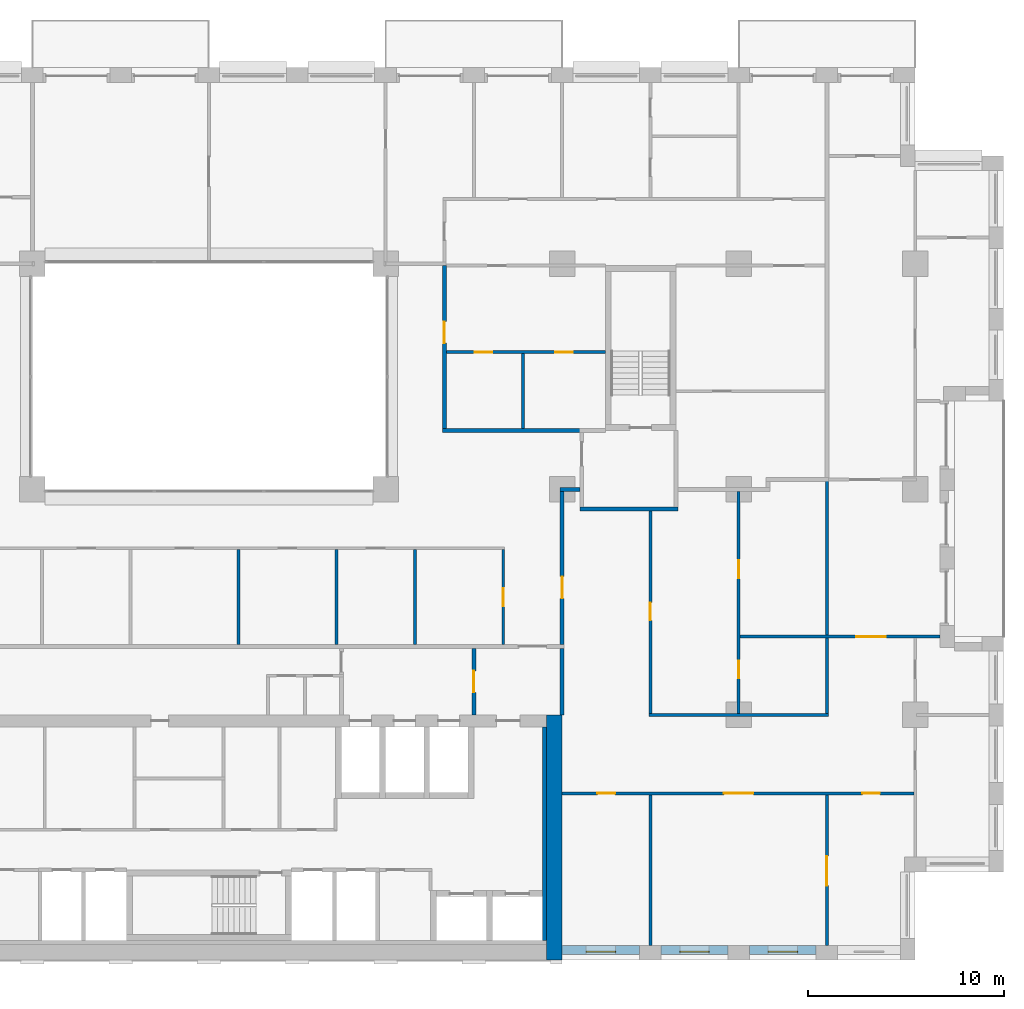
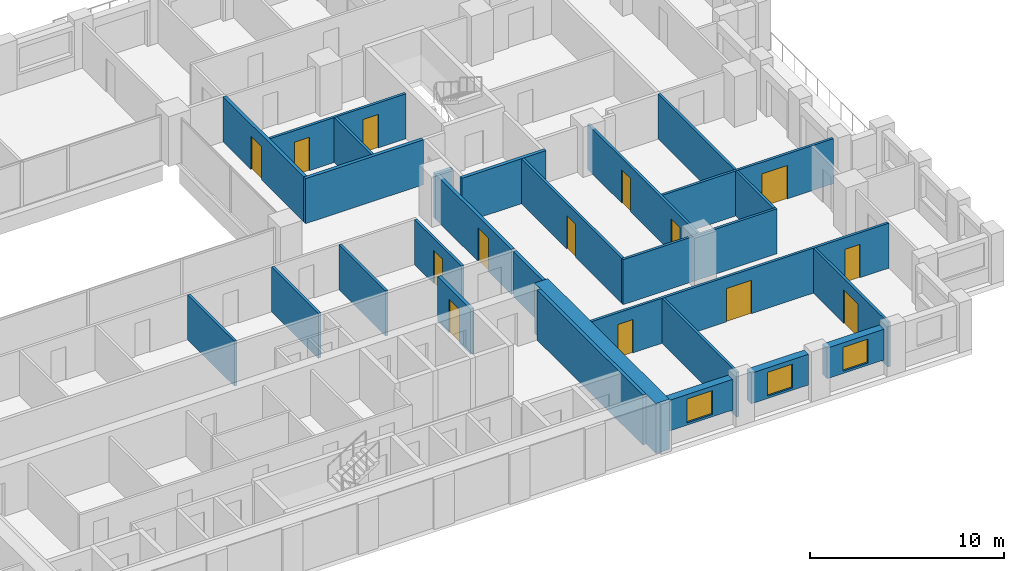
# One storey, part 11 of 16: 27 walls, 14 doors, 3 windows, 17 openings.
"""IFC4 building model written with IfcOpenShell, lengths in metres."""

from ifc_helpers import new_model, si_unit, direction, frame, frame_2d, origin, place, context, subcontext, project, spatial, rectangle, extrude, material, layer, layer_set, type_object, element, fill, save


model = new_model("IFC4")

# Units and contexts
model_context = context("Model", 3, precision=1e-05, world=origin(), true_north=direction((0.0, 1.0)))
body_context = subcontext(model_context, "Body", "Model", "MODEL_VIEW")
ifc_project = project(units=[si_unit("LENGTHUNIT", "METRE"), si_unit("AREAUNIT", "SQUARE_METRE"), si_unit("VOLUMEUNIT", "CUBIC_METRE"), si_unit("PLANEANGLEUNIT", "RADIAN"), si_unit("MASSUNIT", "GRAM", prefix="KILO")], contexts=[model_context])

# Site, building, storey
site_placement = place(None, origin())
site = spatial("IfcSite", under=ifc_project, at=site_placement, CompositionType="ELEMENT")
building_placement = place(site_placement, origin())
building = spatial("IfcBuilding", under=site, at=building_placement, Name="Brigalow Station Residences", CompositionType="ELEMENT")
storey_placement = place(building_placement, frame((0.0, 0.0, 83.550048828125)))
storey = spatial("IfcBuildingStorey", under=building, at=storey_placement, Name="L23", CompositionType="ELEMENT", Elevation=83.550048828125)

# Wall, opening, window
ifc_material_1 = material(Name="Clay brick masonry", Category="masonry")
ifc_layer_1 = layer(ifc_material_1, 0.449951171875)
ifc_layer_set_1 = layer_set([ifc_layer_1], Name="BRICK INFILL WALL 450")
wall_type_1 = type_object("IfcWallType", Name="BRICK INFILL WALL 450", PredefinedType="SOLIDWALL", material=ifc_layer_set_1)
wall_1_placement = place(storey_placement, frame((54.0, 0.52490234375, 0.89990234375), z_axis=(0.0, 0.0, 1.0), x_axis=(1.0, 0.0, 0.0)))
wall_1 = element("IfcWall", 1, at=wall_1_placement, inside=storey, type_object=wall_type_1, Name="L23/ewall/W-L23-4", PredefinedType="SOLIDWALL", context=body_context, shape_type="SweptSolid", body=[
    extrude(rectangle(XDim=3.949951171875, YDim=0.449951171875, at=frame_2d((1.97509765625, 0.0))), origin(), (0.0, 0.0, 1.0), 1.929931640625),
])
opening_1_placement = place(wall_1_placement, frame((1.22509765625, 0.0, 0.14990234375)))
opening_1 = element("IfcOpeningElement", 2, at=opening_1_placement, cuts=wall_1, Name="Opening WT-1", PredefinedType="OPENING", context=body_context, shape_type="SweptSolid", body=[
    extrude(rectangle(XDim=1.5, YDim=1.5, at=frame_2d((0.75, 0.75))), frame((0.0, 0.23486328125, 0.0), z_axis=(0.0, -1.0, 0.0), x_axis=(1.0, 0.0, 0.0)), (0.0, 0.0, 1.0), 0.469970703125),
])
ifc_material_2 = material(Name="Anodised aluminium frame with double glazing", Category="aluminium")
window_type = type_object("IfcWindowType", Name="WINDOW 1500x1500", PartitioningType="SINGLE_PANEL", PredefinedType="WINDOW", material=ifc_material_2)
window_1_placement = place(opening_1_placement, origin())
window_1 = element("IfcWindow", 3, at=window_1_placement, inside=storey, type_object=window_type, Name="L23/window/W-L23-4", OverallHeight=1.5, OverallWidth=1.5, PartitioningType="SINGLE_PANEL", PredefinedType="WINDOW", context=body_context, shape_type="SweptSolid", body=[
    extrude(rectangle(XDim=1.5, YDim=1.5, at=frame_2d((0.75, 0.75))), frame((0.0, -0.06494140625, 0.0), z_axis=(0.0, -1.0, 0.0), x_axis=(1.0, 0.0, 0.0)), (0.0, 0.0, 1.0), 0.06005859375),
])
fill(opening_1, window_1)

wall_2_placement = place(storey_placement, frame((59.050048828125, 0.52490234375, 0.89990234375), z_axis=(0.0, 0.0, 1.0), x_axis=(1.0, 0.0, 0.0)))
wall_2 = element("IfcWall", 4, at=wall_2_placement, inside=storey, type_object=wall_type_1, Name="L23/ewall/W-L23-5", PredefinedType="SOLIDWALL", context=body_context, shape_type="SweptSolid", body=[
    extrude(rectangle(XDim=3.39990234375, YDim=0.449951171875, at=frame_2d((1.699951171875, 0.0))), origin(), (0.0, 0.0, 1.0), 1.929931640625),
])
opening_2_placement = place(wall_2_placement, frame((0.949951171875, 0.0, 0.14990234375)))
opening_2 = element("IfcOpeningElement", 5, at=opening_2_placement, cuts=wall_2, Name="Opening WT-1", PredefinedType="OPENING", context=body_context, shape_type="SweptSolid", body=[
    extrude(rectangle(XDim=1.5, YDim=1.5, at=frame_2d((0.75, 0.75))), frame((0.0, 0.23486328125, 0.0), z_axis=(0.0, -1.0, 0.0), x_axis=(1.0, 0.0, 0.0)), (0.0, 0.0, 1.0), 0.469970703125),
])
window_2_placement = place(opening_2_placement, origin())
window_2 = element("IfcWindow", 6, at=window_2_placement, inside=storey, type_object=window_type, Name="L23/window/W-L23-5", OverallHeight=1.5, OverallWidth=1.5, PartitioningType="SINGLE_PANEL", PredefinedType="WINDOW", context=body_context, shape_type="SweptSolid", body=[
    extrude(rectangle(XDim=1.5, YDim=1.5, at=frame_2d((0.75, 0.75))), frame((0.0, -0.06494140625, 0.0), z_axis=(0.0, -1.0, 0.0), x_axis=(1.0, 0.0, 0.0)), (0.0, 0.0, 1.0), 0.06005859375),
])
fill(opening_2, window_2)

wall_3_placement = place(storey_placement, frame((63.550048828125, 0.52490234375, 0.89990234375), z_axis=(0.0, 0.0, 1.0), x_axis=(1.0, 0.0, 0.0)))
wall_3 = element("IfcWall", 7, at=wall_3_placement, inside=storey, type_object=wall_type_1, Name="L23/ewall/W-L23-6", PredefinedType="SOLIDWALL", context=body_context, shape_type="SweptSolid", body=[
    extrude(rectangle(XDim=3.39990234375, YDim=0.449951171875, at=frame_2d((1.699951171875, 0.0))), origin(), (0.0, 0.0, 1.0), 1.929931640625),
])
opening_3_placement = place(wall_3_placement, frame((0.949951171875, 0.0, 0.14990234375)))
opening_3 = element("IfcOpeningElement", 8, at=opening_3_placement, cuts=wall_3, Name="Opening WT-1", PredefinedType="OPENING", context=body_context, shape_type="SweptSolid", body=[
    extrude(rectangle(XDim=1.5, YDim=1.5, at=frame_2d((0.75, 0.75))), frame((0.0, 0.23486328125, 0.0), z_axis=(0.0, -1.0, 0.0), x_axis=(1.0, 0.0, 0.0)), (0.0, 0.0, 1.0), 0.469970703125),
])
window_3_placement = place(opening_3_placement, origin())
window_3 = element("IfcWindow", 9, at=window_3_placement, inside=storey, type_object=window_type, Name="L23/window/W-L23-6", OverallHeight=1.5, OverallWidth=1.5, PartitioningType="SINGLE_PANEL", PredefinedType="WINDOW", context=body_context, shape_type="SweptSolid", body=[
    extrude(rectangle(XDim=1.5, YDim=1.5, at=frame_2d((0.75, 0.75))), frame((0.0, -0.06494140625, 0.0), z_axis=(0.0, -1.0, 0.0), x_axis=(1.0, 0.0, 0.0)), (0.0, 0.0, 1.0), 0.06005859375),
])
fill(opening_3, window_3)

# Walls
ifc_material_3 = material(Name="Concrete C65", Category="concrete")
ifc_layer_2 = layer(ifc_material_3, 0.199951171875)
ifc_layer_set_2 = layer_set([ifc_layer_2], Name="CORE SHEAR WALL 200 C65")
wall_type_2 = type_object("IfcWallType", Name="CORE SHEAR WALL 200 C65", PredefinedType="SHEAR", material=ifc_layer_set_2)
wall_4_placement = place(storey_placement, frame((53.10009765625, 1.0, 0.0), z_axis=(0.0, 0.0, 1.0), x_axis=(0.0, 1.0, 0.0)))
element("IfcWall", 10, at=wall_4_placement, inside=storey, type_object=wall_type_2, Name="CORE WALL LIN-E L23", PredefinedType="SHEAR", context=body_context, shape_type="SweptSolid", body=[
    extrude(rectangle(XDim=10.89990234375, YDim=0.199951171875, at=frame_2d((5.449951171875, 0.0))), origin(), (0.0, 0.0, 1.0), 3.14990234375),
])
ifc_material_4 = material(Name="Concrete C65", Category="concrete")
ifc_layer_3 = layer(ifc_material_4, 0.800048828125)
ifc_layer_set_3 = layer_set([ifc_layer_3], Name="CORE SHEAR WALL 800 C65")
wall_type_3 = type_object("IfcWallType", Name="CORE SHEAR WALL 800 C65", PredefinedType="SHEAR", material=ifc_layer_set_3)
wall_5_placement = place(storey_placement, frame((53.60009765625, 0.0, 0.0), z_axis=(0.0, 0.0, 1.0), x_axis=(0.0, 1.0, 0.0)))
element("IfcWall", 11, at=wall_5_placement, inside=storey, type_object=wall_type_3, Name="CORE WALL OUT-E L23", PredefinedType="SHEAR", context=body_context, shape_type="SweptSolid", body=[
    extrude(rectangle(XDim=12.5, YDim=0.800048828125, at=frame_2d((6.25, 0.0))), origin(), (0.0, 0.0, 1.0), 3.14990234375),
])
ifc_material_5 = material(Name="Concrete blockwork", Category="masonry")
ifc_layer_4 = layer(ifc_material_5, 0.199951171875)
ifc_layer_set_4 = layer_set([ifc_layer_4], Name="FIRE RATED CORE PARTITION 200")
wall_type_4 = type_object("IfcWallType", Name="FIRE RATED CORE PARTITION 200", PredefinedType="PARTITIONING", material=ifc_layer_set_4)
wall_6_placement = place(storey_placement, frame((54.89990234375, 23.0, 0.0), z_axis=(0.0, 0.0, 1.0), x_axis=(1.0, 0.0, 0.0)))
element("IfcWall", 12, at=wall_6_placement, inside=storey, type_object=wall_type_4, Name="PW-5024", PredefinedType="PARTITIONING", context=body_context, shape_type="SweptSolid", body=[
    extrude(rectangle(XDim=5.0, YDim=0.199951171875, at=frame_2d((2.5, 0.0))), origin(), (0.0, 0.0, 1.0), 2.829833984375),
])

# Wall, opening, door
wall_7_placement = place(storey_placement, frame((49.5, 12.5, 0.0), z_axis=(0.0, 0.0, 1.0), x_axis=(0.0, 1.0, 0.0)))
wall_7 = element("IfcWall", 13, at=wall_7_placement, inside=storey, type_object=wall_type_4, Name="PW-5015", PredefinedType="PARTITIONING", context=body_context, shape_type="SweptSolid", body=[
    extrude(rectangle(XDim=3.39990234375, YDim=0.199951171875, at=frame_2d((1.699951171875, 0.0))), origin(), (0.0, 0.0, 1.0), 2.829833984375),
])
opening_4_placement = place(wall_7_placement, frame((1.14990234375, 0.0, 0.0)))
opening_4 = element("IfcOpeningElement", 14, at=opening_4_placement, cuts=wall_7, Name="Opening D-5014", PredefinedType="OPENING", context=body_context, shape_type="SweptSolid", body=[
    extrude(rectangle(XDim=1.10009765625, YDim=2.10009765625, at=frame_2d((0.550048828125, 1.050048828125))), frame((0.0, 0.10986328125, 0.0), z_axis=(0.0, -1.0, 0.0), x_axis=(1.0, 0.0, 0.0)), (0.0, 0.0, 1.0), 0.219970703125),
])
ifc_material_6 = material(Name="Steel fire door leaf in steel frame", Category="steel")
door_type_1 = type_object("IfcDoorType", Name="LOBBY DOOR 1100 x 2100 FD60S", OperationType="SINGLE_SWING_LEFT", PredefinedType="DOOR", material=ifc_material_6)
door_1_placement = place(opening_4_placement, origin())
door_1 = element("IfcDoor", 15, at=door_1_placement, inside=storey, type_object=door_type_1, Name="D-5014", OperationType="SINGLE_SWING_LEFT", OverallHeight=2.10009765625, OverallWidth=1.10009765625, PredefinedType="DOOR", context=body_context, shape_type="SweptSolid", body=[
    extrude(rectangle(XDim=1.10009765625, YDim=2.10009765625, at=frame_2d((0.550048828125, 1.050048828125))), frame((0.0, 0.02490234375, 0.0), z_axis=(0.0, -1.0, 0.0), x_axis=(1.0, 0.0, 0.0)), (0.0, 0.0, 1.0), 0.050048828125),
])
fill(opening_4, door_1)

# Wall
wall_8_placement = place(storey_placement, frame((54.0, 12.5, 0.0), z_axis=(0.0, 0.0, 1.0), x_axis=(0.0, 1.0, 0.0)))
element("IfcWall", 16, at=wall_8_placement, inside=storey, type_object=wall_type_4, Name="PW-5016", PredefinedType="PARTITIONING", context=body_context, shape_type="SweptSolid", body=[
    extrude(rectangle(XDim=3.39990234375, YDim=0.199951171875, at=frame_2d((1.699951171875, 0.0))), origin(), (0.0, 0.0, 1.0), 2.829833984375),
])

# Wall, openings, doors
ifc_material_7 = material(Name="Plasterboard on steel stud partition", Category="steel")
ifc_layer_5 = layer(ifc_material_7, 0.14990234375)
ifc_layer_set_5 = layer_set([ifc_layer_5], Name="FLAT PARTITION 150")
wall_type_5 = type_object("IfcWallType", Name="FLAT PARTITION 150", PredefinedType="PARTITIONING", material=ifc_layer_set_5)
wall_9_placement = place(storey_placement, frame((54.0, 8.5, 0.0), z_axis=(0.0, 0.0, 1.0), x_axis=(1.0, 0.0, 0.0)))
wall_9 = element("IfcWall", 17, at=wall_9_placement, inside=storey, type_object=wall_type_5, Name="PW-2A12", PredefinedType="PARTITIONING", context=body_context, shape_type="SweptSolid", body=[
    extrude(rectangle(XDim=17.925048828125, YDim=0.14990234375, at=frame_2d((8.96240234375, 0.0))), origin(), (0.0, 0.0, 1.0), 2.829833984375),
])
opening_5_placement = place(wall_9_placement, frame((1.800048828125, 0.0, 0.0)))
opening_5 = element("IfcOpeningElement", 18, at=opening_5_placement, cuts=wall_9, Name="Opening D-2A35", PredefinedType="OPENING", context=body_context, shape_type="SweptSolid", body=[
    extrude(rectangle(XDim=0.89990234375, YDim=2.10009765625, at=frame_2d((0.449951171875, 1.050048828125))), frame((0.0, 0.0849609375, 0.0), z_axis=(0.0, -1.0, 0.0), x_axis=(1.0, 0.0, 0.0)), (0.0, 0.0, 1.0), 0.169921875),
])
opening_6_placement = place(wall_9_placement, frame((8.25, 0.0, 0.0)))
opening_6 = element("IfcOpeningElement", 19, at=opening_6_placement, cuts=wall_9, Name="Opening D-2A36", PredefinedType="OPENING", context=body_context, shape_type="SweptSolid", body=[
    extrude(rectangle(XDim=1.5, YDim=2.10009765625, at=frame_2d((0.75, 1.050048828125))), frame((0.0, 0.0849609375, 0.0), z_axis=(0.0, -1.0, 0.0), x_axis=(1.0, 0.0, 0.0)), (0.0, 0.0, 1.0), 0.169921875),
])
opening_7_placement = place(wall_9_placement, frame((15.300048828125, 0.0, 0.0)))
opening_7 = element("IfcOpeningElement", 20, at=opening_7_placement, cuts=wall_9, Name="Opening D-2A37", PredefinedType="OPENING", context=body_context, shape_type="SweptSolid", body=[
    extrude(rectangle(XDim=0.89990234375, YDim=2.10009765625, at=frame_2d((0.449951171875, 1.050048828125))), frame((0.0, 0.0849609375, 0.0), z_axis=(0.0, -1.0, 0.0), x_axis=(1.0, 0.0, 0.0)), (0.0, 0.0, 1.0), 0.169921875),
])
ifc_material_8 = material(Name="Solid-core timber door leaf", Category="wood")
door_type_2 = type_object("IfcDoorType", Name="INTERNAL DOOR 900 x 2100", OperationType="SINGLE_SWING_LEFT", PredefinedType="DOOR", material=ifc_material_8)
door_2_placement = place(opening_5_placement, frame((0.89990234375, 0.0, 0.0), z_axis=(0.0, 0.0, 1.0), x_axis=(-1.0, 0.0, 0.0)))
door_2 = element("IfcDoor", 21, at=door_2_placement, inside=storey, type_object=door_type_2, Name="D-2A35", OperationType="SINGLE_SWING_LEFT", OverallHeight=2.10009765625, OverallWidth=0.89990234375, PredefinedType="DOOR", context=body_context, shape_type="SweptSolid", body=[
    extrude(rectangle(XDim=0.89990234375, YDim=2.10009765625, at=frame_2d((0.449951171875, 1.050048828125))), frame((0.0, 0.02490234375, 0.0), z_axis=(0.0, -1.0, 0.0), x_axis=(1.0, 0.0, 0.0)), (0.0, 0.0, 1.0), 0.050048828125),
])
fill(opening_5, door_2)
door_3_placement = place(opening_7_placement, frame((0.89990234375, 0.0, 0.0), z_axis=(0.0, 0.0, 1.0), x_axis=(-1.0, 0.0, 0.0)))
door_3 = element("IfcDoor", 22, at=door_3_placement, inside=storey, type_object=door_type_2, Name="D-2A37", OperationType="SINGLE_SWING_RIGHT", OverallHeight=2.10009765625, OverallWidth=0.89990234375, PredefinedType="DOOR", context=body_context, shape_type="SweptSolid", body=[
    extrude(rectangle(XDim=0.89990234375, YDim=2.10009765625, at=frame_2d((0.449951171875, 1.050048828125))), frame((0.0, 0.02490234375, 0.0), z_axis=(0.0, -1.0, 0.0), x_axis=(1.0, 0.0, 0.0)), (0.0, 0.0, 1.0), 0.050048828125),
])
fill(opening_7, door_3)
ifc_material_9 = material(Name="Solid-core timber door leaf", Category="wood")
door_type_3 = type_object("IfcDoorType", Name="INTERNAL DOUBLE DOOR 1500 x 2100", OperationType="DOUBLE_DOOR_SINGLE_SWING", PredefinedType="DOOR", material=ifc_material_9)
door_4_placement = place(opening_6_placement, frame((1.5, 0.0, 0.0), z_axis=(0.0, 0.0, 1.0), x_axis=(-1.0, 0.0, 0.0)))
door_4 = element("IfcDoor", 23, at=door_4_placement, inside=storey, type_object=door_type_3, Name="D-2A36", OperationType="DOUBLE_DOOR_SINGLE_SWING", OverallHeight=2.10009765625, OverallWidth=1.5, PredefinedType="DOOR", context=body_context, shape_type="SweptSolid", body=[
    extrude(rectangle(XDim=1.5, YDim=2.10009765625, at=frame_2d((0.75, 1.050048828125))), frame((0.0, 0.02490234375, 0.0), z_axis=(0.0, -1.0, 0.0), x_axis=(1.0, 0.0, 0.0)), (0.0, 0.0, 1.0), 0.050048828125),
])
fill(opening_6, door_4)

# Wall, opening, door
wall_10_placement = place(storey_placement, frame((63.074951171875, 16.5, 0.0), z_axis=(0.0, 0.0, 1.0), x_axis=(1.0, 0.0, 0.0)))
wall_10 = element("IfcWall", 24, at=wall_10_placement, inside=storey, type_object=wall_type_5, Name="PW-2A15", PredefinedType="PARTITIONING", context=body_context, shape_type="SweptSolid", body=[
    extrude(rectangle(XDim=10.175048828125, YDim=0.14990234375, at=frame_2d((5.08740234375, 0.0))), origin(), (0.0, 0.0, 1.0), 2.829833984375),
])
opening_8_placement = place(wall_10_placement, frame((5.925048828125, 0.0, 0.0)))
opening_8 = element("IfcOpeningElement", 25, at=opening_8_placement, cuts=wall_10, Name="Opening D-2A44", PredefinedType="OPENING", context=body_context, shape_type="SweptSolid", body=[
    extrude(rectangle(XDim=1.5, YDim=2.10009765625, at=frame_2d((0.75, 1.050048828125))), frame((0.0, 0.0849609375, 0.0), z_axis=(0.0, -1.0, 0.0), x_axis=(1.0, 0.0, 0.0)), (0.0, 0.0, 1.0), 0.169921875),
])
door_5_placement = place(opening_8_placement, origin())
door_5 = element("IfcDoor", 26, at=door_5_placement, inside=storey, type_object=door_type_3, Name="D-2A44", OperationType="DOUBLE_DOOR_SINGLE_SWING", OverallHeight=2.10009765625, OverallWidth=1.5, PredefinedType="DOOR", context=body_context, shape_type="SweptSolid", body=[
    extrude(rectangle(XDim=1.5, YDim=2.10009765625, at=frame_2d((0.75, 1.050048828125))), frame((0.0, 0.02490234375, 0.0), z_axis=(0.0, -1.0, 0.0), x_axis=(1.0, 0.0, 0.0)), (0.0, 0.0, 1.0), 0.050048828125),
])
fill(opening_8, door_5)

# Wall
wall_11_placement = place(storey_placement, frame((58.425048828125, 12.5, 0.0), z_axis=(0.0, 0.0, 1.0), x_axis=(1.0, 0.0, 0.0)))
element("IfcWall", 27, at=wall_11_placement, inside=storey, type_object=wall_type_5, Name="PW-2A17", PredefinedType="PARTITIONING", context=body_context, shape_type="SweptSolid", body=[
    extrude(rectangle(XDim=9.14990234375, YDim=0.14990234375, at=frame_2d((4.574951171875, 0.0))), origin(), (0.0, 0.0, 1.0), 2.829833984375),
])

# Wall, openings, doors
wall_12_placement = place(storey_placement, frame((48.10009765625, 31.0, 0.0), z_axis=(0.0, 0.0, 1.0), x_axis=(1.0, 0.0, 0.0)))
wall_12 = element("IfcWall", 28, at=wall_12_placement, inside=storey, type_object=wall_type_5, Name="PW-2A35", PredefinedType="PARTITIONING", context=body_context, shape_type="SweptSolid", body=[
    extrude(rectangle(XDim=8.099853515625, YDim=0.14990234375, at=frame_2d((4.0498046875, 0.0))), origin(), (0.0, 0.0, 1.0), 2.829833984375),
])
opening_9_placement = place(wall_12_placement, frame((1.449951171875, 0.0, 0.0)))
opening_9 = element("IfcOpeningElement", 29, at=opening_9_placement, cuts=wall_12, Name="Opening D-2A21", PredefinedType="OPENING", context=body_context, shape_type="SweptSolid", body=[
    extrude(rectangle(XDim=0.89990234375, YDim=2.10009765625, at=frame_2d((0.449951171875, 1.050048828125))), frame((0.0, 0.0849609375, 0.0), z_axis=(0.0, -1.0, 0.0), x_axis=(1.0, 0.0, 0.0)), (0.0, 0.0, 1.0), 0.169921875),
])
opening_10_placement = place(wall_12_placement, frame((5.550048828125, 0.0, 0.0)))
opening_10 = element("IfcOpeningElement", 30, at=opening_10_placement, cuts=wall_12, Name="Opening D-2A22", PredefinedType="OPENING", context=body_context, shape_type="SweptSolid", body=[
    extrude(rectangle(XDim=0.89990234375, YDim=2.10009765625, at=frame_2d((0.449951171875, 1.050048828125))), frame((0.0, 0.0849609375, 0.0), z_axis=(0.0, -1.0, 0.0), x_axis=(1.0, 0.0, 0.0)), (0.0, 0.0, 1.0), 0.169921875),
])
door_6_placement = place(opening_9_placement, frame((0.89990234375, 0.0, 0.0), z_axis=(0.0, 0.0, 1.0), x_axis=(-1.0, 0.0, 0.0)))
door_6 = element("IfcDoor", 31, at=door_6_placement, inside=storey, type_object=door_type_2, Name="D-2A21", OperationType="SINGLE_SWING_RIGHT", OverallHeight=2.10009765625, OverallWidth=0.89990234375, PredefinedType="DOOR", context=body_context, shape_type="SweptSolid", body=[
    extrude(rectangle(XDim=0.89990234375, YDim=2.10009765625, at=frame_2d((0.449951171875, 1.050048828125))), frame((0.0, 0.02490234375, 0.0), z_axis=(0.0, -1.0, 0.0), x_axis=(1.0, 0.0, 0.0)), (0.0, 0.0, 1.0), 0.050048828125),
])
fill(opening_9, door_6)
door_7_placement = place(opening_10_placement, frame((0.89990234375, 0.0, 0.0), z_axis=(0.0, 0.0, 1.0), x_axis=(-1.0, 0.0, 0.0)))
door_7 = element("IfcDoor", 32, at=door_7_placement, inside=storey, type_object=door_type_2, Name="D-2A22", OperationType="SINGLE_SWING_RIGHT", OverallHeight=2.10009765625, OverallWidth=0.89990234375, PredefinedType="DOOR", context=body_context, shape_type="SweptSolid", body=[
    extrude(rectangle(XDim=0.89990234375, YDim=2.10009765625, at=frame_2d((0.449951171875, 1.050048828125))), frame((0.0, 0.02490234375, 0.0), z_axis=(0.0, -1.0, 0.0), x_axis=(1.0, 0.0, 0.0)), (0.0, 0.0, 1.0), 0.050048828125),
])
fill(opening_10, door_7)

# Wall, opening, door
wall_13_placement = place(storey_placement, frame((51.0, 16.10009765625, 0.0), z_axis=(0.0, 0.0, 1.0), x_axis=(0.0, 1.0, 0.0)))
wall_13 = element("IfcWall", 33, at=wall_13_placement, inside=storey, type_object=wall_type_5, Name="PW-2A44", PredefinedType="PARTITIONING", context=body_context, shape_type="SweptSolid", body=[
    extrude(rectangle(XDim=4.824951171875, YDim=0.14990234375, at=frame_2d((2.41259765625, 0.0))), origin(), (0.0, 0.0, 1.0), 2.829833984375),
])
opening_11_placement = place(wall_13_placement, frame((1.949951171875, 0.0, 0.0)))
opening_11 = element("IfcOpeningElement", 34, at=opening_11_placement, cuts=wall_13, Name="Opening D-2A54", PredefinedType="OPENING", context=body_context, shape_type="SweptSolid", body=[
    extrude(rectangle(XDim=0.89990234375, YDim=2.10009765625, at=frame_2d((0.449951171875, 1.050048828125))), frame((0.0, 0.0849609375, 0.0), z_axis=(0.0, -1.0, 0.0), x_axis=(1.0, 0.0, 0.0)), (0.0, 0.0, 1.0), 0.169921875),
])
door_8_placement = place(opening_11_placement, origin())
door_8 = element("IfcDoor", 35, at=door_8_placement, inside=storey, type_object=door_type_2, Name="D-2A54", OperationType="SINGLE_SWING_LEFT", OverallHeight=2.10009765625, OverallWidth=0.89990234375, PredefinedType="DOOR", context=body_context, shape_type="SweptSolid", body=[
    extrude(rectangle(XDim=0.89990234375, YDim=2.10009765625, at=frame_2d((0.449951171875, 1.050048828125))), frame((0.0, 0.02490234375, 0.0), z_axis=(0.0, -1.0, 0.0), x_axis=(1.0, 0.0, 0.0)), (0.0, 0.0, 1.0), 0.050048828125),
])
fill(opening_11, door_8)

# Wall
wall_14_placement = place(storey_placement, frame((52.0, 27.10009765625, 0.0), z_axis=(0.0, 0.0, 1.0), x_axis=(0.0, 1.0, 0.0)))
element("IfcWall", 36, at=wall_14_placement, inside=storey, type_object=wall_type_5, Name="PW-2A59", PredefinedType="PARTITIONING", context=body_context, shape_type="SweptSolid", body=[
    extrude(rectangle(XDim=3.824951171875, YDim=0.14990234375, at=frame_2d((1.91259765625, 0.0))), origin(), (0.0, 0.0, 1.0), 2.829833984375),
])

# Wall, opening, door
wall_15_placement = place(storey_placement, frame((67.5, 0.75, 0.0), z_axis=(0.0, 0.0, 1.0), x_axis=(0.0, 1.0, 0.0)))
wall_15 = element("IfcWall", 37, at=wall_15_placement, inside=storey, type_object=wall_type_5, Name="PW-2A60", PredefinedType="PARTITIONING", context=body_context, shape_type="SweptSolid", body=[
    extrude(rectangle(XDim=7.675048828125, YDim=0.14990234375, at=frame_2d((3.83740234375, 0.0))), origin(), (0.0, 0.0, 1.0), 2.829833984375),
])
opening_12_placement = place(wall_15_placement, frame((3.050048828125, 0.0, 0.0)))
opening_12 = element("IfcOpeningElement", 38, at=opening_12_placement, cuts=wall_15, Name="Opening D-2A38", PredefinedType="OPENING", context=body_context, shape_type="SweptSolid", body=[
    extrude(rectangle(XDim=1.5, YDim=2.10009765625, at=frame_2d((0.75, 1.050048828125))), frame((0.0, 0.0849609375, 0.0), z_axis=(0.0, -1.0, 0.0), x_axis=(1.0, 0.0, 0.0)), (0.0, 0.0, 1.0), 0.169921875),
])
door_9_placement = place(opening_12_placement, frame((1.5, 0.0, 0.0), z_axis=(0.0, 0.0, 1.0), x_axis=(-1.0, 0.0, 0.0)))
door_9 = element("IfcDoor", 39, at=door_9_placement, inside=storey, type_object=door_type_3, Name="D-2A38", OperationType="DOUBLE_DOOR_SINGLE_SWING", OverallHeight=2.10009765625, OverallWidth=1.5, PredefinedType="DOOR", context=body_context, shape_type="SweptSolid", body=[
    extrude(rectangle(XDim=1.5, YDim=2.10009765625, at=frame_2d((0.75, 1.050048828125))), frame((0.0, 0.02490234375, 0.0), z_axis=(0.0, -1.0, 0.0), x_axis=(1.0, 0.0, 0.0)), (0.0, 0.0, 1.0), 0.050048828125),
])
fill(opening_12, door_9)

# Walls
wall_16_placement = place(storey_placement, frame((67.5, 12.574951171875, 0.0), z_axis=(0.0, 0.0, 1.0), x_axis=(0.0, 1.0, 0.0)))
element("IfcWall", 40, at=wall_16_placement, inside=storey, type_object=wall_type_5, Name="PW-2A61", PredefinedType="PARTITIONING", context=body_context, shape_type="SweptSolid", body=[
    extrude(rectangle(XDim=3.85009765625, YDim=0.14990234375, at=frame_2d((1.925048828125, 0.0))), origin(), (0.0, 0.0, 1.0), 2.829833984375),
])
wall_17_placement = place(storey_placement, frame((67.5, 16.574951171875, 0.0), z_axis=(0.0, 0.0, 1.0), x_axis=(0.0, 1.0, 0.0)))
element("IfcWall", 41, at=wall_17_placement, inside=storey, type_object=wall_type_5, Name="PW-2A62", PredefinedType="PARTITIONING", context=body_context, shape_type="SweptSolid", body=[
    extrude(rectangle(XDim=7.85009765625, YDim=0.14990234375, at=frame_2d((3.925048828125, 0.0))), origin(), (0.0, 0.0, 1.0), 2.829833984375),
])
wall_18_placement = place(storey_placement, frame((58.5, 0.75, 0.0), z_axis=(0.0, 0.0, 1.0), x_axis=(0.0, 1.0, 0.0)))
element("IfcWall", 42, at=wall_18_placement, inside=storey, type_object=wall_type_5, Name="PW-2A64", PredefinedType="PARTITIONING", context=body_context, shape_type="SweptSolid", body=[
    extrude(rectangle(XDim=7.675048828125, YDim=0.14990234375, at=frame_2d((3.83740234375, 0.0))), origin(), (0.0, 0.0, 1.0), 2.829833984375),
])

# Wall, opening, door
wall_19_placement = place(storey_placement, frame((58.5, 12.574951171875, 0.0), z_axis=(0.0, 0.0, 1.0), x_axis=(0.0, 1.0, 0.0)))
wall_19 = element("IfcWall", 43, at=wall_19_placement, inside=storey, type_object=wall_type_5, Name="PW-2A65", PredefinedType="PARTITIONING", context=body_context, shape_type="SweptSolid", body=[
    extrude(rectangle(XDim=10.324951171875, YDim=0.14990234375, at=frame_2d((5.16259765625, 0.0))), origin(), (0.0, 0.0, 1.0), 2.829833984375),
])
opening_13_placement = place(wall_19_placement, frame((4.75, 0.0, 0.0)))
opening_13 = element("IfcOpeningElement", 44, at=opening_13_placement, cuts=wall_19, Name="Opening D-2A40", PredefinedType="OPENING", context=body_context, shape_type="SweptSolid", body=[
    extrude(rectangle(XDim=0.89990234375, YDim=2.10009765625, at=frame_2d((0.449951171875, 1.050048828125))), frame((0.0, 0.0849609375, 0.0), z_axis=(0.0, -1.0, 0.0), x_axis=(1.0, 0.0, 0.0)), (0.0, 0.0, 1.0), 0.169921875),
])
door_10_placement = place(opening_13_placement, frame((0.89990234375, 0.0, 0.0), z_axis=(0.0, 0.0, 1.0), x_axis=(-1.0, 0.0, 0.0)))
door_10 = element("IfcDoor", 45, at=door_10_placement, inside=storey, type_object=door_type_2, Name="D-2A40", OperationType="SINGLE_SWING_LEFT", OverallHeight=2.10009765625, OverallWidth=0.89990234375, PredefinedType="DOOR", context=body_context, shape_type="SweptSolid", body=[
    extrude(rectangle(XDim=0.89990234375, YDim=2.10009765625, at=frame_2d((0.449951171875, 1.050048828125))), frame((0.0, 0.02490234375, 0.0), z_axis=(0.0, -1.0, 0.0), x_axis=(1.0, 0.0, 0.0)), (0.0, 0.0, 1.0), 0.050048828125),
])
fill(opening_13, door_10)

# Wall, openings, doors
wall_20_placement = place(storey_placement, frame((63.0, 12.574951171875, 0.0), z_axis=(0.0, 0.0, 1.0), x_axis=(0.0, 1.0, 0.0)))
wall_20 = element("IfcWall", 46, at=wall_20_placement, inside=storey, type_object=wall_type_5, Name="PW-2A67", PredefinedType="PARTITIONING", context=body_context, shape_type="SweptSolid", body=[
    extrude(rectangle(XDim=11.324951171875, YDim=0.14990234375, at=frame_2d((5.66259765625, 0.0))), origin(), (0.0, 0.0, 1.0), 2.829833984375),
])
opening_14_placement = place(wall_20_placement, frame((1.800048828125, 0.0, 0.0)))
opening_14 = element("IfcOpeningElement", 47, at=opening_14_placement, cuts=wall_20, Name="Opening D-2A41", PredefinedType="OPENING", context=body_context, shape_type="SweptSolid", body=[
    extrude(rectangle(XDim=0.89990234375, YDim=2.10009765625, at=frame_2d((0.449951171875, 1.050048828125))), frame((0.0, 0.0849609375, 0.0), z_axis=(0.0, -1.0, 0.0), x_axis=(1.0, 0.0, 0.0)), (0.0, 0.0, 1.0), 0.169921875),
])
opening_15_placement = place(wall_20_placement, frame((6.89990234375, 0.0, 0.0)))
opening_15 = element("IfcOpeningElement", 48, at=opening_15_placement, cuts=wall_20, Name="Opening D-2A42", PredefinedType="OPENING", context=body_context, shape_type="SweptSolid", body=[
    extrude(rectangle(XDim=0.89990234375, YDim=2.10009765625, at=frame_2d((0.449951171875, 1.050048828125))), frame((0.0, 0.0849609375, 0.0), z_axis=(0.0, -1.0, 0.0), x_axis=(1.0, 0.0, 0.0)), (0.0, 0.0, 1.0), 0.169921875),
])
door_11_placement = place(opening_14_placement, frame((0.89990234375, 0.0, 0.0), z_axis=(0.0, 0.0, 1.0), x_axis=(-1.0, 0.0, 0.0)))
door_11 = element("IfcDoor", 49, at=door_11_placement, inside=storey, type_object=door_type_2, Name="D-2A41", OperationType="SINGLE_SWING_LEFT", OverallHeight=2.10009765625, OverallWidth=0.89990234375, PredefinedType="DOOR", context=body_context, shape_type="SweptSolid", body=[
    extrude(rectangle(XDim=0.89990234375, YDim=2.10009765625, at=frame_2d((0.449951171875, 1.050048828125))), frame((0.0, 0.02490234375, 0.0), z_axis=(0.0, -1.0, 0.0), x_axis=(1.0, 0.0, 0.0)), (0.0, 0.0, 1.0), 0.050048828125),
])
fill(opening_14, door_11)
door_12_placement = place(opening_15_placement, frame((0.89990234375, 0.0, 0.0), z_axis=(0.0, 0.0, 1.0), x_axis=(-1.0, 0.0, 0.0)))
door_12 = element("IfcDoor", 50, at=door_12_placement, inside=storey, type_object=door_type_2, Name="D-2A42", OperationType="SINGLE_SWING_RIGHT", OverallHeight=2.10009765625, OverallWidth=0.89990234375, PredefinedType="DOOR", context=body_context, shape_type="SweptSolid", body=[
    extrude(rectangle(XDim=0.89990234375, YDim=2.10009765625, at=frame_2d((0.449951171875, 1.050048828125))), frame((0.0, 0.02490234375, 0.0), z_axis=(0.0, -1.0, 0.0), x_axis=(1.0, 0.0, 0.0)), (0.0, 0.0, 1.0), 0.050048828125),
])
fill(opening_15, door_12)

# Walls
for number, where, z_axis, x_axis, name in (
    (51, (37.5, 16.10009765625, 0.0), (0.0, 0.0, 1.0), (0.0, 1.0, 0.0), "PW-2A74"),
    (52, (42.5, 16.10009765625, 0.0), (0.0, 0.0, 1.0), (0.0, 1.0, 0.0), "PW-2A75"),
    (53, (46.5, 16.10009765625, 0.0), (0.0, 0.0, 1.0), (0.0, 1.0, 0.0), "PW-2A76"),
):
    element("IfcWall", number, at=place(storey_placement, frame(where, z_axis=z_axis, x_axis=x_axis)), inside=storey, type_object=wall_type_5, Name=name, PredefinedType="PARTITIONING", context=body_context, shape_type="SweptSolid", body=[
        extrude(rectangle(XDim=4.824951171875, YDim=0.14990234375, at=frame_2d((2.41259765625, 0.0))), origin(), (0.0, 0.0, 1.0), 2.829833984375),
    ])
ifc_material_10 = material(Name="Plasterboard on steel stud partition", Category="steel")
ifc_layer_6 = layer(ifc_material_10, 0.199951171875)
ifc_layer_set_6 = layer_set([ifc_layer_6], Name="PARTY AND CORRIDOR WALL 200")
wall_type_6 = type_object("IfcWallType", Name="PARTY AND CORRIDOR WALL 200", PredefinedType="PARTITIONING", material=ifc_layer_set_6)
wall_21_placement = place(storey_placement, frame((53.89990234375, 24.0, 0.0), z_axis=(0.0, 0.0, 1.0), x_axis=(1.0, 0.0, 0.0)))
element("IfcWall", 54, at=wall_21_placement, inside=storey, type_object=wall_type_6, Name="PW-2A03", PredefinedType="PARTITIONING", context=body_context, shape_type="SweptSolid", body=[
    extrude(rectangle(XDim=1.0, YDim=0.199951171875, at=frame_2d((0.5, 0.0))), origin(), (0.0, 0.0, 1.0), 2.829833984375),
])
wall_22_placement = place(storey_placement, frame((47.89990234375, 27.0, 0.0), z_axis=(0.0, 0.0, 1.0), x_axis=(1.0, 0.0, 0.0)))
element("IfcWall", 55, at=wall_22_placement, inside=storey, type_object=wall_type_6, Name="PW-2A06", PredefinedType="PARTITIONING", context=body_context, shape_type="SweptSolid", body=[
    extrude(rectangle(XDim=7.0, YDim=0.199951171875, at=frame_2d((3.5, 0.0))), origin(), (0.0, 0.0, 1.0), 2.829833984375),
])

# Wall, opening, door
wall_23_placement = place(storey_placement, frame((54.0, 16.10009765625, 0.0), z_axis=(0.0, 0.0, 1.0), x_axis=(0.0, 1.0, 0.0)))
wall_23 = element("IfcWall", 56, at=wall_23_placement, inside=storey, type_object=wall_type_6, Name="PW-2A42", PredefinedType="PARTITIONING", context=body_context, shape_type="SweptSolid", body=[
    extrude(rectangle(XDim=7.7998046875, YDim=0.199951171875, at=frame_2d((3.89990234375, 0.0))), origin(), (0.0, 0.0, 1.0), 2.829833984375),
])
opening_16_placement = place(wall_23_placement, frame((2.35009765625, 0.0, 0.0)))
opening_16 = element("IfcOpeningElement", 57, at=opening_16_placement, cuts=wall_23, Name="Opening D-2A34", PredefinedType="OPENING", context=body_context, shape_type="SweptSolid", body=[
    extrude(rectangle(XDim=1.10009765625, YDim=2.10009765625, at=frame_2d((0.550048828125, 1.050048828125))), frame((0.0, 0.10986328125, 0.0), z_axis=(0.0, -1.0, 0.0), x_axis=(1.0, 0.0, 0.0)), (0.0, 0.0, 1.0), 0.219970703125),
])
ifc_material_11 = material(Name="Solid-core timber door leaf", Category="wood")
door_type_4 = type_object("IfcDoorType", Name="FLAT ENTRANCE DOOR 1100 x 2100 FRL -/60/30", OperationType="SINGLE_SWING_LEFT", PredefinedType="DOOR", material=ifc_material_11)
door_13_placement = place(opening_16_placement, frame((1.10009765625, 0.0, 0.0), z_axis=(0.0, 0.0, 1.0), x_axis=(-1.0, 0.0, 0.0)))
door_13 = element("IfcDoor", 58, at=door_13_placement, inside=storey, type_object=door_type_4, Name="D-2A34", OperationType="SINGLE_SWING_LEFT", OverallHeight=2.10009765625, OverallWidth=1.10009765625, PredefinedType="DOOR", context=body_context, shape_type="SweptSolid", body=[
    extrude(rectangle(XDim=1.10009765625, YDim=2.10009765625, at=frame_2d((0.550048828125, 1.050048828125))), frame((0.0, 0.02490234375, 0.0), z_axis=(0.0, -1.0, 0.0), x_axis=(1.0, 0.0, 0.0)), (0.0, 0.0, 1.0), 0.050048828125),
])
fill(opening_16, door_13)

wall_24_placement = place(storey_placement, frame((48.0, 27.10009765625, 0.0), z_axis=(0.0, 0.0, 1.0), x_axis=(0.0, 1.0, 0.0)))
wall_24 = element("IfcWall", 59, at=wall_24_placement, inside=storey, type_object=wall_type_6, Name="PW-2A47", PredefinedType="PARTITIONING", context=body_context, shape_type="SweptSolid", body=[
    extrude(rectangle(XDim=8.2998046875, YDim=0.199951171875, at=frame_2d((4.14990234375, 0.0))), origin(), (0.0, 0.0, 1.0), 2.829833984375),
])
opening_17_placement = place(wall_24_placement, frame((4.35009765625, 0.0, 0.0)))
opening_17 = element("IfcOpeningElement", 60, at=opening_17_placement, cuts=wall_24, Name="Opening D-2A20", PredefinedType="OPENING", context=body_context, shape_type="SweptSolid", body=[
    extrude(rectangle(XDim=1.10009765625, YDim=2.10009765625, at=frame_2d((0.550048828125, 1.050048828125))), frame((0.0, 0.10986328125, 0.0), z_axis=(0.0, -1.0, 0.0), x_axis=(1.0, 0.0, 0.0)), (0.0, 0.0, 1.0), 0.219970703125),
])
door_14_placement = place(opening_17_placement, frame((1.10009765625, 0.0, 0.0), z_axis=(0.0, 0.0, 1.0), x_axis=(-1.0, 0.0, 0.0)))
door_14 = element("IfcDoor", 61, at=door_14_placement, inside=storey, type_object=door_type_4, Name="D-2A20", OperationType="SINGLE_SWING_RIGHT", OverallHeight=2.10009765625, OverallWidth=1.10009765625, PredefinedType="DOOR", context=body_context, shape_type="SweptSolid", body=[
    extrude(rectangle(XDim=1.10009765625, YDim=2.10009765625, at=frame_2d((0.550048828125, 1.050048828125))), frame((0.0, 0.02490234375, 0.0), z_axis=(0.0, -1.0, 0.0), x_axis=(1.0, 0.0, 0.0)), (0.0, 0.0, 1.0), 0.050048828125),
])
fill(opening_17, door_14)

save(model, "model.ifc")
